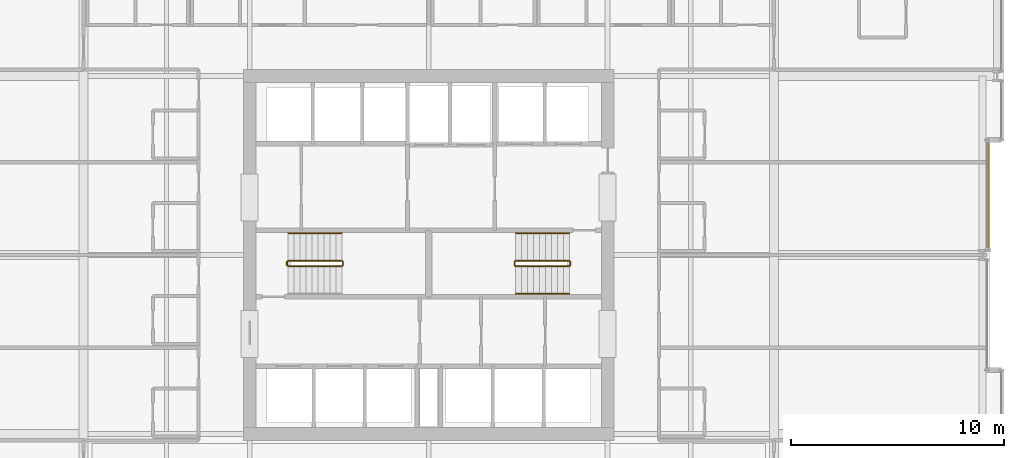
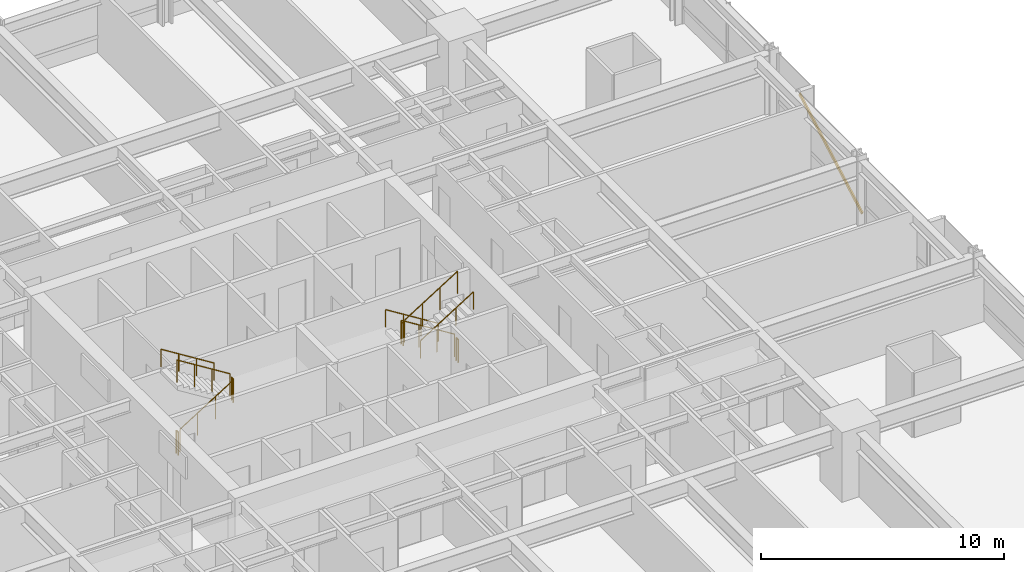
# One storey, part 38 of 39: 11 railings, 1 shading device.
"""IFC4 building model written with IfcOpenShell, lengths in metres."""

from ifc_helpers import new_model, si_unit, direction, frame, origin, origin_2d, place, context, subcontext, project, spatial, hollow_rectangle, circle, extrude, material, material_profile, profile_set, type_object, element, save


model = new_model("IFC4")

# Units and contexts
model_context = context("Model", 3, precision=1e-05, world=origin(), true_north=direction((0.0, 1.0)))
body_context = subcontext(model_context, "Body", "Model", "MODEL_VIEW")
ifc_project = project(units=[si_unit("LENGTHUNIT", "METRE"), si_unit("AREAUNIT", "SQUARE_METRE"), si_unit("VOLUMEUNIT", "CUBIC_METRE"), si_unit("PLANEANGLEUNIT", "RADIAN"), si_unit("MASSUNIT", "GRAM", prefix="KILO")], contexts=[model_context])

# Site, building, storey
site_placement = place(None, origin())
site = spatial("IfcSite", under=ifc_project, at=site_placement, CompositionType="ELEMENT")
building_placement = place(site_placement, origin())
building = spatial("IfcBuilding", under=site, at=building_placement, Name="Drelvath Grand Hotel", CompositionType="ELEMENT")
storey_placement = place(building_placement, frame((0.0, 0.0, 36.699951171875)))
storey = spatial("IfcBuildingStorey", under=building, at=storey_placement, Name="L07", CompositionType="ELEMENT", Elevation=36.699951171875)

# Railings
ifc_material_1 = material(Name="Painted Steel S275", Category="steel")
railing_type_1 = type_object("IfcRailingType", Name="Core Stair Wall Handrail 900", PredefinedType="HANDRAIL", material=ifc_material_1)
for number, where, name in (
    (1, (-4.080078125, 28.030029296875, 1.925048828125), "L07 ST-1 stair handrail 2"),
    (2, (6.60009765625, 28.030029296875, 0.175048828125), "L07 ST-2 stair handrail 1"),
):
    element("IfcRailing", number, at=place(storey_placement, frame(where)), inside=storey, type_object=railing_type_1, Name=name, PredefinedType="HANDRAIL", context=body_context, shape_type="SweptSolid", body=[
        extrude(circle(Radius=0.02392578125, at=origin_2d()), frame((0.0, 0.0, 0.8759765625), z_axis=(-0.848007534815, 0.0, 0.529984170421), x_axis=(0.0, -1.0, 0.0)), (0.0, 0.0, 1.0), 2.9716796875),
        extrude(circle(Radius=0.02099609375, at=origin_2d()), origin(), (0.0, 0.0, 1.0), 0.851806640625),
        extrude(circle(Radius=0.02099609375, at=origin_2d()), frame((-0.840087890625, 0.0, 0.52490234375)), (0.0, 0.0, 1.0), 0.851806640625),
        extrude(circle(Radius=0.02099609375, at=origin_2d()), frame((-1.679931640625, 0.0, 1.050048828125)), (0.0, 0.0, 1.0), 0.851806640625),
        extrude(circle(Radius=0.02099609375, at=origin_2d()), frame((-2.52001953125, 0.0, 1.574951171875)), (0.0, 0.0, 1.0), 0.851806640625),
    ])
railing_1_placement = place(storey_placement, frame((4.080078125, 25.169921875, 1.925048828125)))
element("IfcRailing", 3, at=railing_1_placement, inside=storey, type_object=railing_type_1, Name="L07 ST-2 stair handrail 2", PredefinedType="HANDRAIL", context=body_context, shape_type="SweptSolid", body=[
    extrude(circle(Radius=0.02392578125, at=origin_2d()), frame((0.0, 0.0, 0.8759765625), z_axis=(0.848007534815, 0.0, 0.529984170421), x_axis=(0.0, 1.0, 0.0)), (0.0, 0.0, 1.0), 2.9716796875),
    extrude(circle(Radius=0.02099609375, at=origin_2d()), origin(), (0.0, 0.0, 1.0), 0.851806640625),
    extrude(circle(Radius=0.02099609375, at=origin_2d()), frame((0.840087890625, 0.0, 0.52490234375)), (0.0, 0.0, 1.0), 0.851806640625),
    extrude(circle(Radius=0.02099609375, at=origin_2d()), frame((1.679931640625, 0.0, 1.050048828125)), (0.0, 0.0, 1.0), 0.851806640625),
    extrude(circle(Radius=0.02099609375, at=origin_2d()), frame((2.52001953125, 0.0, 1.574951171875)), (0.0, 0.0, 1.0), 0.851806640625),
])
railing_type_2 = type_object("IfcRailingType", Name="Core Stair Well Guardrail 1100", PredefinedType="GUARDRAIL", material=ifc_material_1)
railing_2_placement = place(storey_placement, frame((-6.60009765625, 26.469970703125, 0.175048828125)))
element("IfcRailing", 4, at=railing_2_placement, inside=storey, type_object=railing_type_2, Name="L07 ST-1 stair guard 1", PredefinedType="GUARDRAIL", context=body_context, shape_type="SweptSolid", body=[
    extrude(circle(Radius=0.02392578125, at=origin_2d()), frame((0.0, 0.0, 1.1259765625), z_axis=(0.848007534815, 0.0, 0.529984170421), x_axis=(0.0, 1.0, 0.0)), (0.0, 0.0, 1.0), 2.9716796875),
    extrude(circle(Radius=0.02099609375, at=origin_2d()), origin(), (0.0, 0.0, 1.0), 1.101806640625),
    extrude(circle(Radius=0.02099609375, at=origin_2d()), frame((0.840087890625, 0.0, 0.52490234375)), (0.0, 0.0, 1.0), 1.101806640625),
    extrude(circle(Radius=0.02099609375, at=origin_2d()), frame((1.679931640625, 0.0, 1.050048828125)), (0.0, 0.0, 1.0), 1.101806640625),
    extrude(circle(Radius=0.02099609375, at=origin_2d()), frame((2.52001953125, 0.0, 1.574951171875)), (0.0, 0.0, 1.0), 1.101806640625),
])
railing_3_placement = place(storey_placement, frame((-4.030029296875, 26.52001953125, 1.75)))
element("IfcRailing", 5, at=railing_3_placement, inside=storey, type_object=railing_type_2, Name="L07 ST-1 stair guard 2", PredefinedType="GUARDRAIL", context=body_context, shape_type="SweptSolid", body=[
    extrude(circle(Radius=0.02392578125, at=origin_2d()), frame((0.0, 0.0, 1.1259765625), z_axis=(0.0, 1.0, 0.0), x_axis=(-1.0, 0.0, 0.0)), (0.0, 0.0, 1.0), 0.159912109375),
    extrude(circle(Radius=0.02099609375, at=origin_2d()), origin(), (0.0, 0.0, 1.0), 1.101806640625),
    extrude(circle(Radius=0.02099609375, at=origin_2d()), frame((0.0, 0.159912109375, 0.0)), (0.0, 0.0, 1.0), 1.101806640625),
])
railing_4_placement = place(storey_placement, frame((-4.080078125, 26.72998046875, 1.925048828125)))
element("IfcRailing", 6, at=railing_4_placement, inside=storey, type_object=railing_type_2, Name="L07 ST-1 stair guard 3", PredefinedType="GUARDRAIL", context=body_context, shape_type="SweptSolid", body=[
    extrude(circle(Radius=0.02392578125, at=origin_2d()), frame((0.0, 0.0, 1.1259765625), z_axis=(-0.848007534815, 0.0, 0.529984170421), x_axis=(0.0, -1.0, 0.0)), (0.0, 0.0, 1.0), 2.9716796875),
    extrude(circle(Radius=0.02099609375, at=origin_2d()), origin(), (0.0, 0.0, 1.0), 1.101806640625),
    extrude(circle(Radius=0.02099609375, at=origin_2d()), frame((-0.840087890625, 0.0, 0.52490234375)), (0.0, 0.0, 1.0), 1.101806640625),
    extrude(circle(Radius=0.02099609375, at=origin_2d()), frame((-1.679931640625, 0.0, 1.050048828125)), (0.0, 0.0, 1.0), 1.101806640625),
    extrude(circle(Radius=0.02099609375, at=origin_2d()), frame((-2.52001953125, 0.0, 1.574951171875)), (0.0, 0.0, 1.0), 1.101806640625),
])
railing_5_placement = place(storey_placement, frame((-6.64990234375, 26.52001953125, 0.0)))
element("IfcRailing", 7, at=railing_5_placement, inside=storey, type_object=railing_type_2, Name="L07 ST-1 stair guard 4", PredefinedType="GUARDRAIL", context=body_context, shape_type="SweptSolid", body=[
    extrude(circle(Radius=0.02392578125, at=origin_2d()), frame((0.0, 0.0, 1.1259765625), z_axis=(0.0, 1.0, 0.0), x_axis=(-1.0, 0.0, 0.0)), (0.0, 0.0, 1.0), 0.159912109375),
    extrude(circle(Radius=0.02099609375, at=origin_2d()), origin(), (0.0, 0.0, 1.0), 1.101806640625),
    extrude(circle(Radius=0.02099609375, at=origin_2d()), frame((0.0, 0.159912109375, 0.0)), (0.0, 0.0, 1.0), 1.101806640625),
])
railing_6_placement = place(storey_placement, frame((6.60009765625, 26.72998046875, 0.175048828125)))
element("IfcRailing", 8, at=railing_6_placement, inside=storey, type_object=railing_type_2, Name="L07 ST-2 stair guard 1", PredefinedType="GUARDRAIL", context=body_context, shape_type="SweptSolid", body=[
    extrude(circle(Radius=0.02392578125, at=origin_2d()), frame((0.0, 0.0, 1.1259765625), z_axis=(-0.848007534815, 0.0, 0.529984170421), x_axis=(0.0, -1.0, 0.0)), (0.0, 0.0, 1.0), 2.9716796875),
    extrude(circle(Radius=0.02099609375, at=origin_2d()), origin(), (0.0, 0.0, 1.0), 1.101806640625),
    extrude(circle(Radius=0.02099609375, at=origin_2d()), frame((-0.840087890625, 0.0, 0.52490234375)), (0.0, 0.0, 1.0), 1.101806640625),
    extrude(circle(Radius=0.02099609375, at=origin_2d()), frame((-1.679931640625, 0.0, 1.050048828125)), (0.0, 0.0, 1.0), 1.101806640625),
    extrude(circle(Radius=0.02099609375, at=origin_2d()), frame((-2.52001953125, 0.0, 1.574951171875)), (0.0, 0.0, 1.0), 1.101806640625),
])
railing_7_placement = place(storey_placement, frame((4.030029296875, 26.679931640625, 1.75)))
element("IfcRailing", 9, at=railing_7_placement, inside=storey, type_object=railing_type_2, Name="L07 ST-2 stair guard 2", PredefinedType="GUARDRAIL", context=body_context, shape_type="SweptSolid", body=[
    extrude(circle(Radius=0.02392578125, at=origin_2d()), frame((0.0, 0.0, 1.1259765625), z_axis=(0.0, -1.0, 0.0), x_axis=(1.0, 0.0, 0.0)), (0.0, 0.0, 1.0), 0.159912109375),
    extrude(circle(Radius=0.02099609375, at=origin_2d()), origin(), (0.0, 0.0, 1.0), 1.101806640625),
    extrude(circle(Radius=0.02099609375, at=origin_2d()), frame((0.0, -0.159912109375, 0.0)), (0.0, 0.0, 1.0), 1.101806640625),
])
railing_8_placement = place(storey_placement, frame((4.080078125, 26.469970703125, 1.925048828125)))
element("IfcRailing", 10, at=railing_8_placement, inside=storey, type_object=railing_type_2, Name="L07 ST-2 stair guard 3", PredefinedType="GUARDRAIL", context=body_context, shape_type="SweptSolid", body=[
    extrude(circle(Radius=0.02392578125, at=origin_2d()), frame((0.0, 0.0, 1.1259765625), z_axis=(0.848007534815, 0.0, 0.529984170421), x_axis=(0.0, 1.0, 0.0)), (0.0, 0.0, 1.0), 2.9716796875),
    extrude(circle(Radius=0.02099609375, at=origin_2d()), origin(), (0.0, 0.0, 1.0), 1.101806640625),
    extrude(circle(Radius=0.02099609375, at=origin_2d()), frame((0.840087890625, 0.0, 0.52490234375)), (0.0, 0.0, 1.0), 1.101806640625),
    extrude(circle(Radius=0.02099609375, at=origin_2d()), frame((1.679931640625, 0.0, 1.050048828125)), (0.0, 0.0, 1.0), 1.101806640625),
    extrude(circle(Radius=0.02099609375, at=origin_2d()), frame((2.52001953125, 0.0, 1.574951171875)), (0.0, 0.0, 1.0), 1.101806640625),
])
railing_9_placement = place(storey_placement, frame((6.64990234375, 26.679931640625, 0.0)))
element("IfcRailing", 11, at=railing_9_placement, inside=storey, type_object=railing_type_2, Name="L07 ST-2 stair guard 4", PredefinedType="GUARDRAIL", context=body_context, shape_type="SweptSolid", body=[
    extrude(circle(Radius=0.02392578125, at=origin_2d()), frame((0.0, 0.0, 1.1259765625), z_axis=(0.0, -1.0, 0.0), x_axis=(1.0, 0.0, 0.0)), (0.0, 0.0, 1.0), 0.159912109375),
    extrude(circle(Radius=0.02099609375, at=origin_2d()), origin(), (0.0, 0.0, 1.0), 1.101806640625),
    extrude(circle(Radius=0.02099609375, at=origin_2d()), frame((0.0, -0.159912109375, 0.0)), (0.0, 0.0, 1.0), 1.101806640625),
])

# Shading device
ifc_material_2 = material(Name="Warm Bronze Anodised Aluminium", Category="aluminium")
ifc_material_profile = material_profile(ifc_material_2, hollow_rectangle(XDim=0.06494140625, YDim=0.159912109375, WallThickness=0.00390625, at=origin_2d()), Name="HSS160X65X4")
ifc_profile_set = profile_set([ifc_material_profile], Name="Warm Bronze Anodised Aluminium")
shading_device_type = type_object("IfcShadingDeviceType", Name="Diagonal Solar Fin Warm Bronze Anodised HSS160X65X4", PredefinedType="USERDEFINED", material=ifc_profile_set)
shading_device_placement = place(storey_placement, frame((26.280029296875, 27.240966796875, 0.179931640625), z_axis=(0.0, 0.873145760887, 0.487459208801), x_axis=(-1.0, 0.0, 0.0)))
element("IfcShadingDevice", 12, at=shading_device_placement, inside=storey, type_object=shading_device_type, Name="L07 Diagonal Anodised Fin CW02-L07-EM2", ObjectType="FIN", PredefinedType="USERDEFINED", context=body_context, shape_type="SweptSolid", body=[
    extrude(hollow_rectangle(XDim=0.06494140625, YDim=0.159912109375, WallThickness=0.00390625, at=origin_2d()), origin(), (0.0, 0.0, 1.0), 5.908447265625),
])

save(model, "model.ifc")
